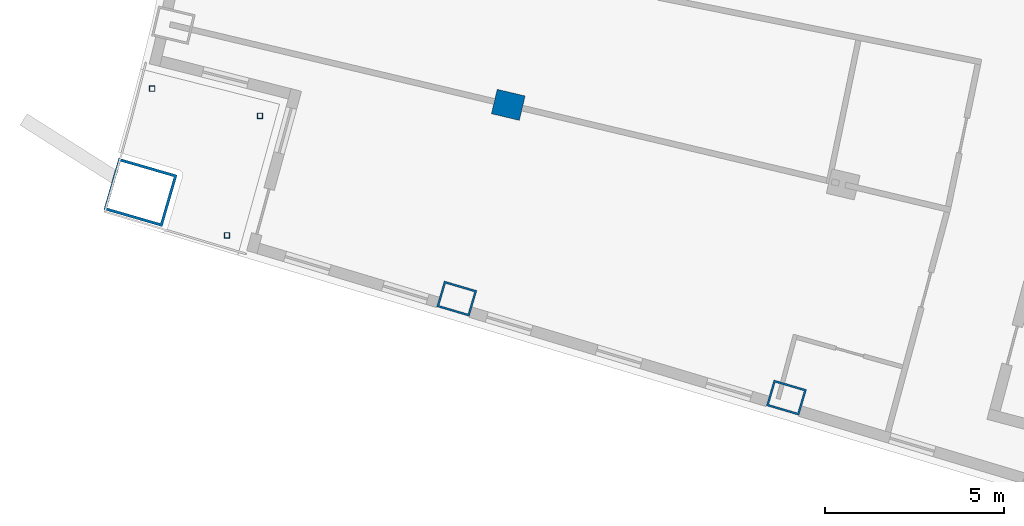
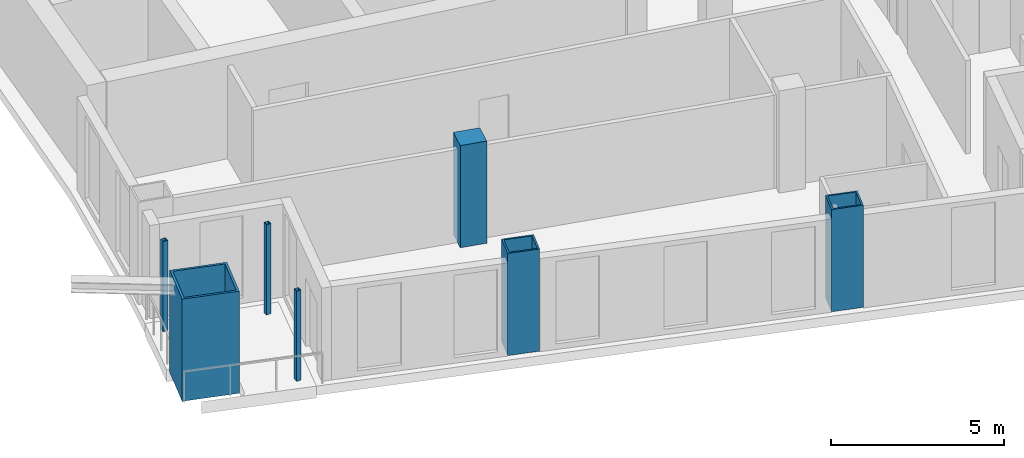
# One storey, part 1 of 19: 7 columns.
"""IFC4 building model written with IfcOpenShell, lengths in metres."""

from ifc_helpers import new_model, si_unit, direction, frame, origin, origin_2d, place, context, subcontext, project, spatial, rectangle, hollow_rectangle, extrude, material, material_profile, profile_set, type_object, element, save


model = new_model("IFC4")

# Units and contexts
model_context = context("Model", 3, precision=1e-05, world=origin(), true_north=direction((0.0, 1.0)))
body_context = subcontext(model_context, "Body", "Model", "MODEL_VIEW")
ifc_project = project(units=[si_unit("LENGTHUNIT", "METRE"), si_unit("AREAUNIT", "SQUARE_METRE"), si_unit("VOLUMEUNIT", "CUBIC_METRE"), si_unit("PLANEANGLEUNIT", "RADIAN"), si_unit("MASSUNIT", "GRAM", prefix="KILO")], contexts=[model_context])

# Site, building, storey
site_placement = place(None, origin())
site = spatial("IfcSite", under=ifc_project, at=site_placement, CompositionType="ELEMENT")
building_placement = place(site_placement, origin())
building = spatial("IfcBuilding", under=site, at=building_placement, Name="Alderwake Tower", CompositionType="ELEMENT")
storey_placement = place(building_placement, frame((0.0, 0.0, 203.60009765625)))
storey = spatial("IfcBuildingStorey", under=building, at=storey_placement, Name="L50", CompositionType="ELEMENT", Elevation=203.60009765625)

# Columns
ifc_material_1 = material(Name="Steel ASTM A572 Grade 50 concrete filled C70/85", Category="concrete")
ifc_material_profile_1 = material_profile(ifc_material_1, hollow_rectangle(XDim=0.75, YDim=0.949951171875, WallThickness=0.054931640625, at=origin_2d()), Name="BOX 950X750X55")
ifc_profile_set_1 = profile_set([ifc_material_profile_1], Name="Steel ASTM A572 Grade 50 concrete filled C70/85")
column_type_1 = type_object("IfcColumnType", Name="End column Z4", PredefinedType="COLUMN", material=ifc_profile_set_1)
for number, where, z_axis, x_axis, name in (
    (1, (21.885498046875, 31.03759765625, 0.0), (0.0, 0.0, 1.0), (0.282132160283, 0.95937554906, 0.0), "Column R02-C1"),
    (2, (31.080322265625, 28.27685546875, 0.0), (0.0, 0.0, 1.0), (0.282582549822, 0.959242984095, 0.0), "Column R02-C2"),
):
    element("IfcColumn", number, at=place(storey_placement, frame(where, z_axis=z_axis, x_axis=x_axis)), inside=storey, type_object=column_type_1, Name=name, PredefinedType="COLUMN", context=body_context, shape_type="SweptSolid", body=[
        extrude(hollow_rectangle(XDim=0.75, YDim=0.949951171875, WallThickness=0.054931640625, at=origin_2d()), origin(), (0.0, 0.0, 1.0), 3.599853515625),
    ])
ifc_material_2 = material(Name="Concrete C70/85", Category="concrete")
ifc_material_profile_2 = material_profile(ifc_material_2, rectangle(XDim=0.699951171875, YDim=0.800048828125, at=origin_2d()), Name="RC 800X700")
ifc_profile_set_2 = profile_set([ifc_material_profile_2], Name="Concrete C70/85")
column_type_2 = type_object("IfcColumnType", Name="Interior column Z4", PredefinedType="COLUMN", material=ifc_profile_set_2)
column_1_placement = place(storey_placement, frame((23.322021484375, 36.444091796875, 0.0), z_axis=(0.0, 0.0, 1.0), x_axis=(0.231221547198, 0.972901123502, 0.0)))
element("IfcColumn", 3, at=column_1_placement, inside=storey, type_object=column_type_2, Name="Column R03-C1", PredefinedType="COLUMN", context=body_context, shape_type="SweptSolid", body=[
    extrude(rectangle(XDim=0.699951171875, YDim=0.800048828125, at=origin_2d()), origin(), (0.0, 0.0, 1.0), 3.599853515625),
])
ifc_material_3 = material(Name="Steel ASTM A500 Grade C", Category="steel")
ifc_material_profile_3 = material_profile(ifc_material_3, hollow_rectangle(XDim=0.15234375, YDim=0.15234375, WallThickness=0.0087890625, at=origin_2d()), Name="HSS6X6X3/8")
ifc_profile_set_3 = profile_set([ifc_material_profile_3], Name="Steel ASTM A500 Grade C")
column_type_3 = type_object("IfcColumnType", Name="Light post HSS6X6X3/8", PredefinedType="COLUMN", material=ifc_profile_set_3)
for number, where, z_axis, x_axis, name in (
    (4, (13.3896484375, 36.896484375, 0.0), (0.0, 0.0, 1.0), (1.0, 0.0, 0.0), "Terrace post RS1"),
    (5, (15.47412109375, 32.805908203125, 0.0), (0.0, 0.0, 1.0), (1.0, 0.0, 0.0), "Terrace post RS2"),
    (6, (16.39501953125, 36.135986328125, 0.0), (0.0, 0.0, 1.0), (1.0, 0.0, 0.0), "Terrace post RS3"),
):
    element("IfcColumn", number, at=place(storey_placement, frame(where, z_axis=z_axis, x_axis=x_axis)), inside=storey, type_object=column_type_3, Name=name, PredefinedType="COLUMN", context=body_context, shape_type="SweptSolid", body=[
        extrude(hollow_rectangle(XDim=0.15234375, YDim=0.15234375, WallThickness=0.0087890625, at=origin_2d()), origin(), (0.0, 0.0, 1.0), 3.179931640625),
    ])
ifc_material_4 = material(Name="Steel ASTM A572 Grade 50 concrete filled C70/85", Category="concrete")
ifc_material_profile_4 = material_profile(ifc_material_4, hollow_rectangle(XDim=1.5, YDim=1.699951171875, WallThickness=0.074951171875, at=origin_2d()), Name="BOX 1700X1500X75")
ifc_profile_set_4 = profile_set([ifc_material_profile_4], Name="Steel ASTM A572 Grade 50 concrete filled C70/85")
column_type_4 = type_object("IfcColumnType", Name="Mega column Z4", PredefinedType="COLUMN", material=ifc_profile_set_4)
column_2_placement = place(storey_placement, frame((13.06298828125, 34.00244140625, 0.0), z_axis=(0.0, 0.0, 1.0), x_axis=(0.278612301868, 0.960403657452, 0.0)))
element("IfcColumn", 7, at=column_2_placement, inside=storey, type_object=column_type_4, Name="Column R02-C0", PredefinedType="COLUMN", context=body_context, shape_type="SweptSolid", body=[
    extrude(hollow_rectangle(XDim=1.5, YDim=1.699951171875, WallThickness=0.074951171875, at=origin_2d()), origin(), (0.0, 0.0, 1.0), 3.599853515625),
])

save(model, "model.ifc")
